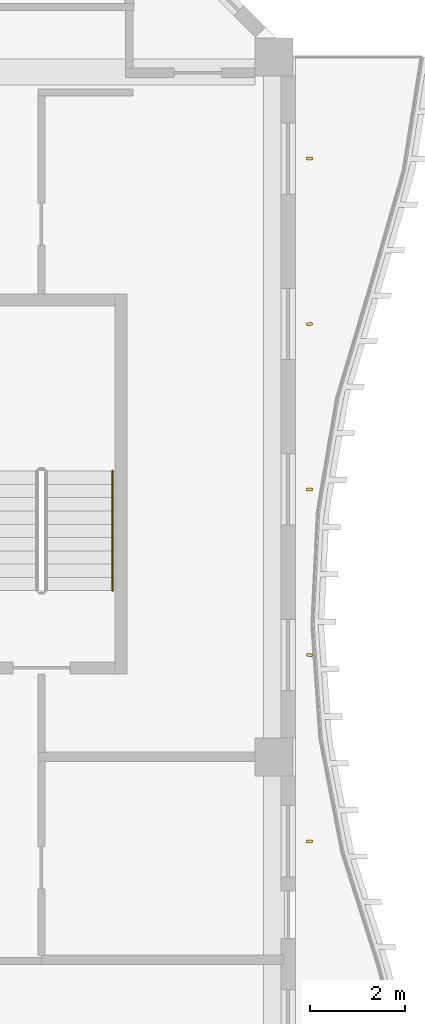
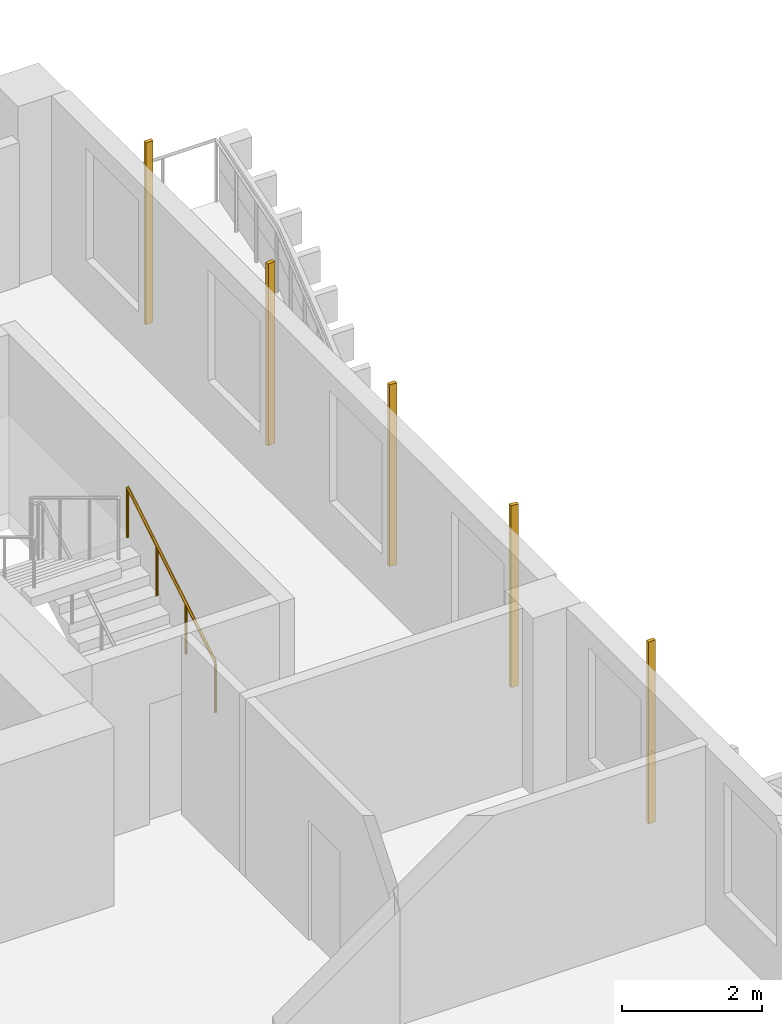
# One storey, part 21 of 21: 5 shading devices, 1 railing.
"""IFC4 building model written with IfcOpenShell, lengths in metres."""

from ifc_helpers import new_model, si_unit, direction, frame, origin, origin_2d, place, context, subcontext, project, spatial, rectangle, circle, extrude, source, transform, mapped, material, material_profile, profile_set, type_object, element, save


model = new_model("IFC4")

# Units and contexts
model_context = context("Model", 3, precision=1e-05, world=origin(), true_north=direction((0.0, 1.0)))
body_context = subcontext(model_context, "Body", "Model", "MODEL_VIEW")
ifc_project = project(units=[si_unit("LENGTHUNIT", "METRE"), si_unit("AREAUNIT", "SQUARE_METRE"), si_unit("VOLUMEUNIT", "CUBIC_METRE"), si_unit("PLANEANGLEUNIT", "RADIAN"), si_unit("MASSUNIT", "GRAM", prefix="KILO")], contexts=[model_context])

# Site, building, storey
site_placement = place(None, origin())
site = spatial("IfcSite", under=ifc_project, at=site_placement, CompositionType="ELEMENT")
building_placement = place(site_placement, origin())
building = spatial("IfcBuilding", under=site, at=building_placement, Name="Kilnfold Tower and Market Hall", CompositionType="ELEMENT")
storey_placement = place(building_placement, frame((0.0, 0.0, 182.10009765625)))
storey = spatial("IfcBuildingStorey", under=building, at=storey_placement, Name="L43", CompositionType="ELEMENT", Elevation=182.10009765625)

# Railing
ifc_material_1 = material(Name="Stainless steel 316", Category="steel")
railing_type = type_object("IfcRailingType", Name="CORE STAIR HANDRAIL 900", PredefinedType="HANDRAIL", material=ifc_material_1)
railing_placement = place(storey_placement, frame((21.39990234375, 11.5, 0.169921875)))
element("IfcRailing", 1, at=railing_placement, inside=storey, type_object=railing_type, Name="L43 ST5 stair handrail 1", PredefinedType="HANDRAIL", context=body_context, shape_type="SweptSolid", body=[
    extrude(circle(Radius=0.02392578125, at=origin_2d()), frame((0.0, 0.0, 0.8759765625), z_axis=(0.0, 0.85478489116, 0.518982456201), x_axis=(-1.0, 0.0, 0.0)), (0.0, 0.0, 1.0), 2.9482421875),
    extrude(circle(Radius=0.02099609375, at=origin_2d()), origin(), (0.0, 0.0, 1.0), 0.851806640625),
    extrude(circle(Radius=0.02099609375, at=origin_2d()), frame((0.0, 0.840087890625, 0.510009765625)), (0.0, 0.0, 1.0), 0.851806640625),
    extrude(circle(Radius=0.02099609375, at=origin_2d()), frame((0.0, 1.679931640625, 1.02001953125)), (0.0, 0.0, 1.0), 0.851806640625),
    extrude(circle(Radius=0.02099609375, at=origin_2d()), frame((0.0, 2.52001953125, 1.530029296875)), (0.0, 0.0, 1.0), 0.851806640625),
])

# Shading devices
ifc_material_2 = material(Name="Terracotta", Category="masonry")
ifc_material_profile = material_profile(ifc_material_2, rectangle(XDim=0.06005859375, YDim=0.1201171875, at=origin_2d()), Name="BAG 60x120")
ifc_profile_set = profile_set([ifc_material_profile], Name="Terracotta")
shading_device_type = type_object("IfcShadingDeviceType", Name="BAGUETTE", PredefinedType="USERDEFINED", material=ifc_profile_set)
shared_shape = source(origin(), body_context, "Body", "SweptSolid", [
    extrude(rectangle(XDim=0.06005859375, YDim=0.1201171875, at=origin_2d()), origin(), (0.0, 0.0, 1.0), 3.179931640625),
])
for number, where, z_axis, x_axis, name in (
    (2, (25.550048828125, 6.21875, 0.0), (0.0, 0.0, 1.0), (-0.036621034655, 0.999329224941, 0.0), "Terracotta baguette L43 E"),
    (3, (25.550048828125, 10.143798828125, 0.0), (0.0, 0.0, 1.0), (0.138787669755, 0.990322161079, 0.0), "Terracotta baguette L43 E"),
    (4, (25.550048828125, 13.63134765625, 0.0), (0.0, 0.0, 1.0), (0.01120477933, 0.99993722449, 0.0), "Terracotta baguette L43 E"),
    (5, (25.550048828125, 17.11865234375, 0.0), (0.0, 0.0, 1.0), (-0.138663221106, 0.990339593833, 0.0), "Terracotta baguette L43 E"),
    (6, (25.550048828125, 20.606201171875, 0.0), (0.0, 0.0, 1.0), (-0.012764991458, 0.999918524177, 0.0), "Terracotta baguette L43 E"),
):
    element("IfcShadingDevice", number, at=place(storey_placement, frame(where, z_axis=z_axis, x_axis=x_axis)), inside=storey, type_object=shading_device_type, Name=name, ObjectType="BAGUETTE", PredefinedType="USERDEFINED", context=body_context, shape_type="MappedRepresentation", body=[
        mapped(shared_shape, transform((0.0, 0.0, 0.0))),
    ])

save(model, "model.ifc")
